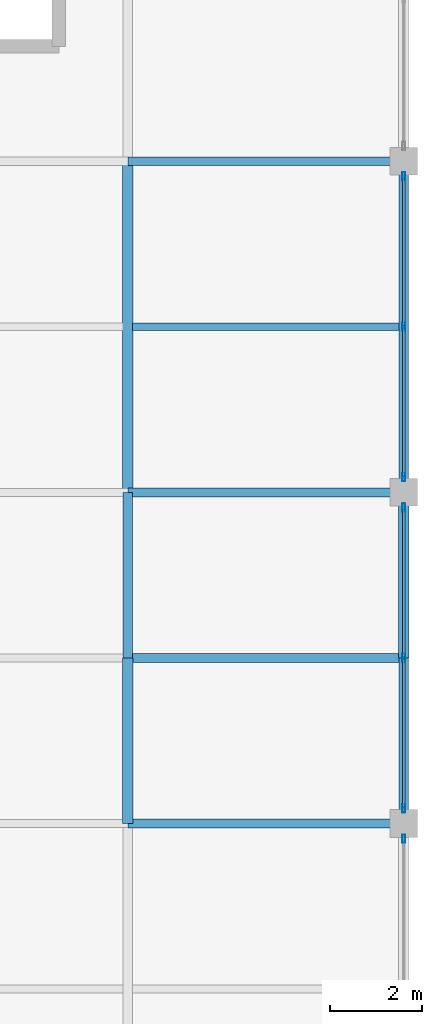
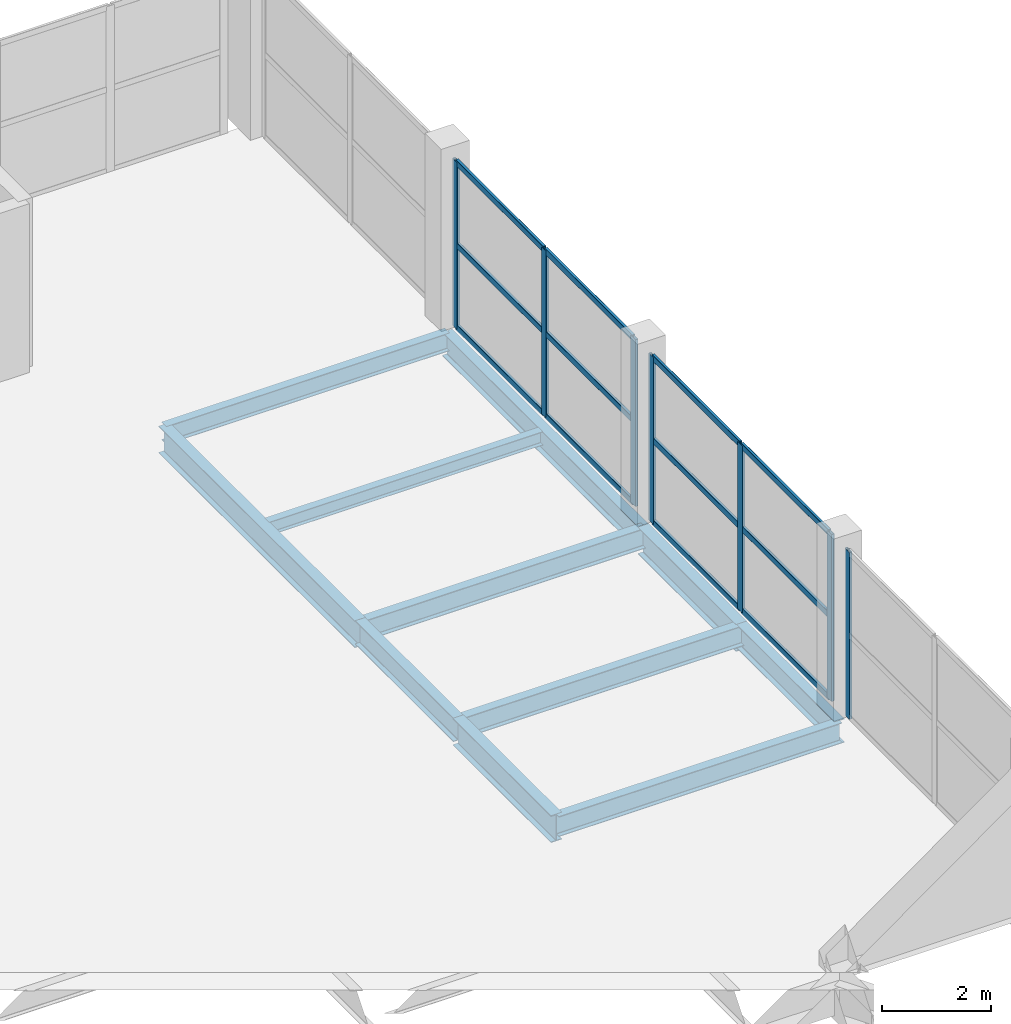
# One storey, part 86 of 127: 19 members, 11 beams, 3 elements without a shape of their own.
"""IFC4 building model written with IfcOpenShell, lengths in metres."""

import ifcopenshell
import ifcopenshell.guid

model = None  # the IFC model being written
_history = None  # IfcOwnerHistory: only IFC2X3 demands one
_inside = {}  # id of a spatial element -> (the spatial element, [elements in it])
_under = {}  # id of a project, library or spatial element -> (it, [spatial elements below it])
_declared = {}  # id of a project -> (the project, [libraries it declares])
_typed = {}  # id of a type object -> (the type object, [elements of that type])
_made_of = {}  # id of a material, layer set ... -> (it, [elements and type objects made of it])


def new_model(schema):
    """Start an empty IFC model of exactly this schema.

    Asked for "IFC4X3", IfcOpenShell would pick the latest addendum, in which some entities
    have other attributes; the version numbers below select the first issue.
    IFC2X3 requires an IfcOwnerHistory on every rooted entity: one is made here for all.
    """
    global model, _history
    if schema == "IFC4X3":
        model = ifcopenshell.file(schema_version=(4, 3, 0, 0))
    else:
        model = ifcopenshell.file(schema=schema)
    _inside.clear()
    _under.clear()
    _declared.clear()
    _typed.clear()
    _made_of.clear()
    _history = None
    if model.schema == "IFC2X3":
        org = make("IfcOrganization", Name="unknown")
        user = make(
            "IfcPersonAndOrganization",
            ThePerson=make("IfcPerson", FamilyName="unknown"),
            TheOrganization=org,
        )
        app = make(
            "IfcApplication",
            ApplicationDeveloper=org,
            Version="unknown",
            ApplicationFullName="unknown",
            ApplicationIdentifier="unknown",
        )
        _history = make(
            "IfcOwnerHistory",
            OwningUser=user,
            OwningApplication=app,
            ChangeAction="ADDED",
            CreationDate=0,
        )
    return model


def make(cls, **values):
    """One entity of the class cls with the attributes given. An attribute that is None is left unset."""
    return model.create_entity(
        cls, **{name: value for name, value in values.items() if value is not None}
    )


def rooted(cls, **values):
    """An entity with a GlobalId (a new one), such as an element, a storey or a relation."""
    return make(cls, GlobalId=ifcopenshell.guid.new(), OwnerHistory=_history, **values)


def si_unit(unit_type, name, prefix=None):
    """IfcSIUnit, for example si_unit("LENGTHUNIT", "METRE", prefix="MILLI")."""
    return make("IfcSIUnit", UnitType=unit_type, Prefix=prefix, Name=name)


def assignment(units):
    """IfcUnitAssignment: the units of a project."""
    return None if units is None else make("IfcUnitAssignment", Units=units)


def point(xyz):
    """IfcCartesianPoint."""
    return None if xyz is None else make("IfcCartesianPoint", Coordinates=xyz)


def direction(xyz):
    """IfcDirection."""
    return None if xyz is None else make("IfcDirection", DirectionRatios=xyz)


def frame(location, z_axis=None, x_axis=None):
    """IfcAxis2Placement3D, a coordinate frame: its origin and axes. An axis left out is left unset."""
    return make(
        "IfcAxis2Placement3D",
        Location=point(location),
        Axis=direction(z_axis),
        RefDirection=direction(x_axis),
    )


def frame_2d(location, x_axis=None):
    """IfcAxis2Placement2D, a coordinate frame in the plane: its origin and x axis."""
    return make(
        "IfcAxis2Placement2D", Location=point(location), RefDirection=direction(x_axis)
    )


def origin():
    """The frame at (0, 0, 0) with its axes left unset."""
    return frame((0.0, 0.0, 0.0))


def origin_2d():
    """The frame at (0, 0) in the plane with its x axis left unset."""
    return frame_2d((0.0, 0.0))


def place(relative_to, where):
    """IfcLocalPlacement: puts the frame where relative to a parent placement (None: the world)."""
    return make(
        "IfcLocalPlacement", PlacementRelTo=relative_to, RelativePlacement=where
    )


def context(
    kind, dimensions, precision=None, world=None, true_north=None, identifier=None
):
    """IfcGeometricRepresentationContext, for example the 3D "Model" context."""
    return make(
        "IfcGeometricRepresentationContext",
        ContextIdentifier=identifier,
        ContextType=kind,
        CoordinateSpaceDimension=dimensions,
        Precision=precision,
        WorldCoordinateSystem=world,
        TrueNorth=true_north,
    )


def subcontext(parent, identifier, kind, view, scale=None):
    """IfcGeometricRepresentationSubContext, for example "Body" below "Model"."""
    return make(
        "IfcGeometricRepresentationSubContext",
        ContextIdentifier=identifier,
        ContextType=kind,
        ParentContext=parent,
        TargetScale=scale,
        TargetView=view,
    )


def project(units=None, contexts=None):
    """IfcProject with its units and contexts."""
    return rooted(
        "IfcProject",
        Name="project",
        RepresentationContexts=contexts,
        UnitsInContext=assignment(units),
    )


def spatial(cls, under=None, at=None, **own):
    """A site, building, storey or space (cls), placed at a placement, below another one or the project."""
    s = rooted(cls, ObjectPlacement=at, **own)
    if under is not None:
        _under.setdefault(under.id(), (under, []))[1].append(s)
    return s


def profile(cls, at=None, kind="AREA", **sizes):
    """A parametric profile (cls). Its sizes go by their IFC names, for example OverallWidth=200.0."""
    return make(cls, ProfileType=kind, Position=at, **sizes)


def hollow_rectangle(**sizes):
    """IfcRectangleHollowProfileDef."""
    return profile("IfcRectangleHollowProfileDef", **sizes)


def i_section(**sizes):
    """IfcIShapeProfileDef."""
    return profile("IfcIShapeProfileDef", **sizes)


def extrude(swept, where, along, depth):
    """IfcExtrudedAreaSolid: the profile swept, set in the frame where, extruded along a direction by depth."""
    return make(
        "IfcExtrudedAreaSolid",
        SweptArea=swept,
        Position=where,
        ExtrudedDirection=direction(along),
        Depth=depth,
    )


def shape(context_of_items, identifier, shape_type, items):
    """IfcShapeRepresentation: the items that make up one representation, for example the "Body"."""
    return make(
        "IfcShapeRepresentation",
        ContextOfItems=context_of_items,
        RepresentationIdentifier=identifier,
        RepresentationType=shape_type,
        Items=items,
    )


def material(Name=None, Category=None):
    """IfcMaterial."""
    return make("IfcMaterial", Name=Name, Category=Category)


def layer(
    of_material, thickness, ventilated=None, Name=None, Category=None, Priority=None
):
    """IfcMaterialLayer: one layer of a wall or slab, of a material (None: an air gap)."""
    return make(
        "IfcMaterialLayer",
        Material=of_material,
        LayerThickness=thickness,
        IsVentilated=ventilated,
        Name=Name,
        Category=Category,
        Priority=Priority,
    )


def layer_set(layers, Name=None):
    """IfcMaterialLayerSet."""
    return make("IfcMaterialLayerSet", MaterialLayers=layers, LayerSetName=Name)


def material_profile(
    of_material, cross_section, Name=None, Category=None, Priority=None
):
    """IfcMaterialProfile: a cross section and its material."""
    return make(
        "IfcMaterialProfile",
        Name=Name,
        Material=of_material,
        Profile=cross_section,
        Priority=Priority,
        Category=Category,
    )


def profile_set(profiles, Name=None, composite=None):
    """IfcMaterialProfileSet."""
    return make(
        "IfcMaterialProfileSet",
        Name=Name,
        MaterialProfiles=profiles,
        CompositeProfile=composite,
    )


def made_of(thing, what):
    """Note that an element or type object is made of a material, layer set ...; save() writes the relation."""
    if what is not None:
        _made_of.setdefault(what.id(), (what, []))[1].append(thing)
    return thing


def type_object(cls, material=None, **own):
    """A type object (cls), such as IfcWallType, which elements share."""
    return made_of(rooted(cls, **own), material)


def element(
    cls,
    number,
    at=None,
    inside=None,
    cuts=None,
    type_object=None,
    material=None,
    context=None,
    identifier="Body",
    shape_type=None,
    held_by="IfcProductDefinitionShape",
    body=None,
    shapes=None,
    **own,
):
    """One element of the class cls, such as IfcWall. Its Tag is "e" and its number.

    at: its placement. inside: the storey or other place that contains it. cuts: it is an
    opening in that element (IfcRelVoidsElement). A single representation is given by context,
    identifier, shape_type and body (its items); several are given by shapes. held_by: the class
    of the entity that holds the representations. save() writes the other relations.
    """
    e = rooted(cls, Tag="e%d" % number, ObjectPlacement=at, **own)
    if body is not None:
        shapes = [shape(context, identifier, shape_type, body)]
    if shapes is not None:
        e.Representation = make(held_by, Representations=shapes)
    if inside is not None:
        _inside.setdefault(inside.id(), (inside, []))[1].append(e)
    if cuts is not None:
        rooted(
            "IfcRelVoidsElement", RelatingBuildingElement=cuts, RelatedOpeningElement=e
        )
    if type_object is not None:
        _typed.setdefault(type_object.id(), (type_object, []))[1].append(e)
    return made_of(e, material)


def aggregate(whole, parts):
    """IfcRelAggregates: a whole, such as a stair, and the parts it consists of."""
    return rooted("IfcRelAggregates", RelatingObject=whole, RelatedObjects=parts)


def save(model, path):
    """Write the relations noted so far, then the file.

    IfcRelAggregates (storeys below a building ...), IfcRelContainedInSpatialStructure (elements
    in a storey), IfcRelDefinesByType, IfcRelAssociatesMaterial and IfcRelDeclares: one each for
    every whole, place, type object, material and project.
    """
    for whole, parts in _under.values():
        aggregate(whole, parts)
    for where, things in _inside.values():
        rooted(
            "IfcRelContainedInSpatialStructure",
            RelatedElements=things,
            RelatingStructure=where,
        )
    for kind, things in _typed.values():
        rooted("IfcRelDefinesByType", RelatedObjects=things, RelatingType=kind)
    for what, things in _made_of.values():
        rooted("IfcRelAssociatesMaterial", RelatedObjects=things, RelatingMaterial=what)
    for by, libraries in _declared.values():
        rooted("IfcRelDeclares", RelatingContext=by, RelatedDefinitions=libraries)
    model.write(path)


model = new_model("IFC4")

# Units and contexts
model_context = context("Model", 3, precision=1e-05, world=origin(), true_north=direction((0.0, 1.0)))
body_context = subcontext(model_context, "Body", "Model", "MODEL_VIEW")
ifc_project = project(units=[si_unit("LENGTHUNIT", "METRE"), si_unit("AREAUNIT", "SQUARE_METRE"), si_unit("VOLUMEUNIT", "CUBIC_METRE"), si_unit("PLANEANGLEUNIT", "RADIAN"), si_unit("MASSUNIT", "GRAM", prefix="KILO")], contexts=[model_context])

# Site, building, storey
site_placement = place(None, origin())
site = spatial("IfcSite", under=ifc_project, at=site_placement, CompositionType="ELEMENT")
building_placement = place(site_placement, origin())
building = spatial("IfcBuilding", under=site, at=building_placement, Name="Dunvalen Ferry Terminal", CompositionType="ELEMENT")
storey_placement = place(building_placement, frame((0.0, 0.0, 5.760009765625)))
storey = spatial("IfcBuildingStorey", under=building, at=storey_placement, Name="L01", CompositionType="ELEMENT", Elevation=5.760009765625)

# Curtain wall, member
ifc_material_1 = material(Name="Anodised marine aluminium and solar-control glazing", Category="aluminium")
ifc_layer = layer(ifc_material_1, 0.219970703125, Name="Anodised marine aluminium and solar-control glazing")
ifc_layer_set = layer_set([ifc_layer], Name="Anodised marine aluminium and solar-control glazing")
curtain_wall_type = type_object("IfcCurtainWallType", Name="ENV-CW-SYS-04", PredefinedType="NOTDEFINED", material=ifc_layer_set)
curtain_wall_1_placement = place(storey_placement, origin())
curtain_wall_1 = element("IfcCurtainWall", 1, at=curtain_wall_1_placement, inside=storey, type_object=curtain_wall_type, Name="L01 Curtain Wall CW-V2E-L01-1", PredefinedType="NOTDEFINED")
ifc_material_2 = material(Name="Anodised marine aluminium EN AW-6063 T6", Category="aluminium")
ifc_material_profile_1 = material_profile(ifc_material_2, hollow_rectangle(XDim=0.06005859375, YDim=0.179931640625, WallThickness=0.00341796875, InnerFilletRadius=0.00341796875, OuterFilletRadius=0.007080078125, at=origin_2d()), Name="Anodised marine aluminium EN AW-6063 T6")
ifc_profile_set_1 = profile_set([ifc_material_profile_1], Name="Anodised marine aluminium EN AW-6063 T6")
member_type_1 = type_object("IfcMemberType", Name="ENV-CW-MUL-2", PredefinedType="MULLION", material=ifc_profile_set_1)
member_1_placement = place(storey_placement, frame((168.0, 64.469970703125, 0.02001953125), z_axis=(0.0, 0.0, 1.0), x_axis=(-1.0, 0.0, 0.0)))
member_1 = element("IfcMember", 2, at=member_1_placement, type_object=member_type_1, Name="CW-04 mullion 3", PredefinedType="MULLION", context=body_context, shape_type="SweptSolid", body=[
    extrude(hollow_rectangle(XDim=0.06005859375, YDim=0.179931640625, WallThickness=0.00341796875, InnerFilletRadius=0.00341796875, OuterFilletRadius=0.007080078125, at=origin_2d()), origin(), (0.0, 0.0, 1.0), 3.739990234375),
])
aggregate(curtain_wall_1, [member_1])

# Curtain wall, members
curtain_wall_2_placement = place(storey_placement, origin())
curtain_wall_2 = element("IfcCurtainWall", 3, at=curtain_wall_2_placement, inside=storey, type_object=curtain_wall_type, Name="L01 Curtain Wall CW-V2E-L01-2", PredefinedType="NOTDEFINED")
member_2_placement = place(storey_placement, frame((168.0, 65.1298828125, 0.02001953125), z_axis=(0.0, 0.0, 1.0), x_axis=(-1.0, 0.0, 0.0)))
member_2 = element("IfcMember", 4, at=member_2_placement, type_object=member_type_1, Name="CW-04 mullion 1", PredefinedType="MULLION", context=body_context, shape_type="SweptSolid", body=[
    extrude(hollow_rectangle(XDim=0.06005859375, YDim=0.179931640625, WallThickness=0.00341796875, InnerFilletRadius=0.00341796875, OuterFilletRadius=0.007080078125, at=origin_2d()), origin(), (0.0, 0.0, 1.0), 3.739990234375),
])
member_3_placement = place(storey_placement, frame((168.0, 68.39990234375, 0.02001953125), z_axis=(0.0, 0.0, 1.0), x_axis=(-1.0, 0.0, 0.0)))
member_3 = element("IfcMember", 5, at=member_3_placement, type_object=member_type_1, Name="CW-04 mullion 2", PredefinedType="MULLION", context=body_context, shape_type="SweptSolid", body=[
    extrude(hollow_rectangle(XDim=0.06005859375, YDim=0.179931640625, WallThickness=0.00341796875, InnerFilletRadius=0.00341796875, OuterFilletRadius=0.007080078125, at=origin_2d()), origin(), (0.0, 0.0, 1.0), 3.739990234375),
])
member_4_placement = place(storey_placement, frame((168.0, 71.669921875, 0.02001953125), z_axis=(0.0, 0.0, 1.0), x_axis=(-1.0, 0.0, 0.0)))
member_4 = element("IfcMember", 6, at=member_4_placement, type_object=member_type_1, Name="CW-04 mullion 3", PredefinedType="MULLION", context=body_context, shape_type="SweptSolid", body=[
    extrude(hollow_rectangle(XDim=0.06005859375, YDim=0.179931640625, WallThickness=0.00341796875, InnerFilletRadius=0.00341796875, OuterFilletRadius=0.007080078125, at=origin_2d()), origin(), (0.0, 0.0, 1.0), 3.739990234375),
])

curtain_wall_3_placement = place(storey_placement, origin())
curtain_wall_3 = element("IfcCurtainWall", 7, at=curtain_wall_3_placement, inside=storey, type_object=curtain_wall_type, Name="L01 Curtain Wall CW-V2E-L01-3", PredefinedType="NOTDEFINED")
member_5_placement = place(storey_placement, frame((168.0, 72.330078125, 0.02001953125), z_axis=(0.0, 0.0, 1.0), x_axis=(-1.0, 0.0, 0.0)))
member_5 = element("IfcMember", 8, at=member_5_placement, type_object=member_type_1, Name="CW-04 mullion 1", PredefinedType="MULLION", context=body_context, shape_type="SweptSolid", body=[
    extrude(hollow_rectangle(XDim=0.06005859375, YDim=0.179931640625, WallThickness=0.00341796875, InnerFilletRadius=0.00341796875, OuterFilletRadius=0.007080078125, at=origin_2d()), origin(), (0.0, 0.0, 1.0), 3.739990234375),
])
member_6_placement = place(storey_placement, frame((168.0, 75.60009765625, 0.02001953125), z_axis=(0.0, 0.0, 1.0), x_axis=(-1.0, 0.0, 0.0)))
member_6 = element("IfcMember", 9, at=member_6_placement, type_object=member_type_1, Name="CW-04 mullion 2", PredefinedType="MULLION", context=body_context, shape_type="SweptSolid", body=[
    extrude(hollow_rectangle(XDim=0.06005859375, YDim=0.179931640625, WallThickness=0.00341796875, InnerFilletRadius=0.00341796875, OuterFilletRadius=0.007080078125, at=origin_2d()), origin(), (0.0, 0.0, 1.0), 3.739990234375),
])
member_7_placement = place(storey_placement, frame((168.0, 78.8701171875, 0.02001953125), z_axis=(0.0, 0.0, 1.0), x_axis=(-1.0, 0.0, 0.0)))
member_7 = element("IfcMember", 10, at=member_7_placement, type_object=member_type_1, Name="CW-04 mullion 3", PredefinedType="MULLION", context=body_context, shape_type="SweptSolid", body=[
    extrude(hollow_rectangle(XDim=0.06005859375, YDim=0.179931640625, WallThickness=0.00341796875, InnerFilletRadius=0.00341796875, OuterFilletRadius=0.007080078125, at=origin_2d()), origin(), (0.0, 0.0, 1.0), 3.739990234375),
])

# Member
ifc_material_profile_2 = material_profile(ifc_material_2, hollow_rectangle(XDim=0.06005859375, YDim=0.135009765625, WallThickness=0.003173828125, InnerFilletRadius=0.003173828125, OuterFilletRadius=0.00634765625, at=origin_2d()), Name="Anodised marine aluminium EN AW-6063 T6")
ifc_profile_set_2 = profile_set([ifc_material_profile_2], Name="Anodised marine aluminium EN AW-6063 T6")
member_type_2 = type_object("IfcMemberType", Name="ENV-CW-TRN-2", PredefinedType="USERDEFINED", material=ifc_profile_set_2)
member_8_placement = place(storey_placement, frame((168.0, 65.159912109375, 0.050048828125), z_axis=(0.0, 1.0, 0.0), x_axis=(-1.0, 0.0, 0.0)))
member_8 = element("IfcMember", 11, at=member_8_placement, type_object=member_type_2, Name="CW-04 transom 1.1", ObjectType="TRANSOM", PredefinedType="USERDEFINED", context=body_context, shape_type="SweptSolid", body=[
    extrude(hollow_rectangle(XDim=0.06005859375, YDim=0.135009765625, WallThickness=0.003173828125, InnerFilletRadius=0.003173828125, OuterFilletRadius=0.00634765625, at=origin_2d()), origin(), (0.0, 0.0, 1.0), 3.210205078125),
])

member_9_placement = place(storey_placement, frame((168.0, 65.159912109375, 1.889892578125), z_axis=(0.0, 1.0, 0.0), x_axis=(-1.0, 0.0, 0.0)))
member_9 = element("IfcMember", 12, at=member_9_placement, type_object=member_type_2, Name="CW-04 transom 1.2", ObjectType="TRANSOM", PredefinedType="USERDEFINED", context=body_context, shape_type="SweptSolid", body=[
    extrude(hollow_rectangle(XDim=0.06005859375, YDim=0.135009765625, WallThickness=0.003173828125, InnerFilletRadius=0.003173828125, OuterFilletRadius=0.00634765625, at=origin_2d()), origin(), (0.0, 0.0, 1.0), 3.210205078125),
])

member_10_placement = place(storey_placement, frame((168.0, 65.159912109375, 3.72998046875), z_axis=(0.0, 1.0, 0.0), x_axis=(-1.0, 0.0, 0.0)))
member_10 = element("IfcMember", 13, at=member_10_placement, type_object=member_type_2, Name="CW-04 transom 1.3", ObjectType="TRANSOM", PredefinedType="USERDEFINED", context=body_context, shape_type="SweptSolid", body=[
    extrude(hollow_rectangle(XDim=0.06005859375, YDim=0.135009765625, WallThickness=0.003173828125, InnerFilletRadius=0.003173828125, OuterFilletRadius=0.00634765625, at=origin_2d()), origin(), (0.0, 0.0, 1.0), 3.210205078125),
])

member_11_placement = place(storey_placement, frame((168.0, 68.429931640625, 0.050048828125), z_axis=(0.0, 1.0, 0.0), x_axis=(-1.0, 0.0, 0.0)))
member_11 = element("IfcMember", 14, at=member_11_placement, type_object=member_type_2, Name="CW-04 transom 2.1", ObjectType="TRANSOM", PredefinedType="USERDEFINED", context=body_context, shape_type="SweptSolid", body=[
    extrude(hollow_rectangle(XDim=0.06005859375, YDim=0.135009765625, WallThickness=0.003173828125, InnerFilletRadius=0.003173828125, OuterFilletRadius=0.00634765625, at=origin_2d()), origin(), (0.0, 0.0, 1.0), 3.2099609375),
])

member_12_placement = place(storey_placement, frame((168.0, 68.429931640625, 1.889892578125), z_axis=(0.0, 1.0, 0.0), x_axis=(-1.0, 0.0, 0.0)))
member_12 = element("IfcMember", 15, at=member_12_placement, type_object=member_type_2, Name="CW-04 transom 2.2", ObjectType="TRANSOM", PredefinedType="USERDEFINED", context=body_context, shape_type="SweptSolid", body=[
    extrude(hollow_rectangle(XDim=0.06005859375, YDim=0.135009765625, WallThickness=0.003173828125, InnerFilletRadius=0.003173828125, OuterFilletRadius=0.00634765625, at=origin_2d()), origin(), (0.0, 0.0, 1.0), 3.2099609375),
])

member_13_placement = place(storey_placement, frame((168.0, 68.429931640625, 3.72998046875), z_axis=(0.0, 1.0, 0.0), x_axis=(-1.0, 0.0, 0.0)))
member_13 = element("IfcMember", 16, at=member_13_placement, type_object=member_type_2, Name="CW-04 transom 2.3", ObjectType="TRANSOM", PredefinedType="USERDEFINED", context=body_context, shape_type="SweptSolid", body=[
    extrude(hollow_rectangle(XDim=0.06005859375, YDim=0.135009765625, WallThickness=0.003173828125, InnerFilletRadius=0.003173828125, OuterFilletRadius=0.00634765625, at=origin_2d()), origin(), (0.0, 0.0, 1.0), 3.2099609375),
])

aggregate(curtain_wall_2, [member_2, member_3, member_4, member_8, member_9, member_10, member_11, member_12, member_13])

member_14_placement = place(storey_placement, frame((168.0, 72.360107421875, 0.050048828125), z_axis=(0.0, 1.0, 0.0), x_axis=(-1.0, 0.0, 0.0)))
member_14 = element("IfcMember", 17, at=member_14_placement, type_object=member_type_2, Name="CW-04 transom 1.1", ObjectType="TRANSOM", PredefinedType="USERDEFINED", context=body_context, shape_type="SweptSolid", body=[
    extrude(hollow_rectangle(XDim=0.06005859375, YDim=0.135009765625, WallThickness=0.003173828125, InnerFilletRadius=0.003173828125, OuterFilletRadius=0.00634765625, at=origin_2d()), origin(), (0.0, 0.0, 1.0), 3.2099609375),
])

member_15_placement = place(storey_placement, frame((168.0, 72.360107421875, 1.889892578125), z_axis=(0.0, 1.0, 0.0), x_axis=(-1.0, 0.0, 0.0)))
member_15 = element("IfcMember", 18, at=member_15_placement, type_object=member_type_2, Name="CW-04 transom 1.2", ObjectType="TRANSOM", PredefinedType="USERDEFINED", context=body_context, shape_type="SweptSolid", body=[
    extrude(hollow_rectangle(XDim=0.06005859375, YDim=0.135009765625, WallThickness=0.003173828125, InnerFilletRadius=0.003173828125, OuterFilletRadius=0.00634765625, at=origin_2d()), origin(), (0.0, 0.0, 1.0), 3.2099609375),
])

member_16_placement = place(storey_placement, frame((168.0, 72.360107421875, 3.72998046875), z_axis=(0.0, 1.0, 0.0), x_axis=(-1.0, 0.0, 0.0)))
member_16 = element("IfcMember", 19, at=member_16_placement, type_object=member_type_2, Name="CW-04 transom 1.3", ObjectType="TRANSOM", PredefinedType="USERDEFINED", context=body_context, shape_type="SweptSolid", body=[
    extrude(hollow_rectangle(XDim=0.06005859375, YDim=0.135009765625, WallThickness=0.003173828125, InnerFilletRadius=0.003173828125, OuterFilletRadius=0.00634765625, at=origin_2d()), origin(), (0.0, 0.0, 1.0), 3.2099609375),
])

member_17_placement = place(storey_placement, frame((168.0, 75.6298828125, 0.050048828125), z_axis=(0.0, 1.0, 0.0), x_axis=(-1.0, 0.0, 0.0)))
member_17 = element("IfcMember", 20, at=member_17_placement, type_object=member_type_2, Name="CW-04 transom 2.1", ObjectType="TRANSOM", PredefinedType="USERDEFINED", context=body_context, shape_type="SweptSolid", body=[
    extrude(hollow_rectangle(XDim=0.06005859375, YDim=0.135009765625, WallThickness=0.003173828125, InnerFilletRadius=0.003173828125, OuterFilletRadius=0.00634765625, at=origin_2d()), origin(), (0.0, 0.0, 1.0), 3.210205078125),
])

member_18_placement = place(storey_placement, frame((168.0, 75.6298828125, 1.889892578125), z_axis=(0.0, 1.0, 0.0), x_axis=(-1.0, 0.0, 0.0)))
member_18 = element("IfcMember", 21, at=member_18_placement, type_object=member_type_2, Name="CW-04 transom 2.2", ObjectType="TRANSOM", PredefinedType="USERDEFINED", context=body_context, shape_type="SweptSolid", body=[
    extrude(hollow_rectangle(XDim=0.06005859375, YDim=0.135009765625, WallThickness=0.003173828125, InnerFilletRadius=0.003173828125, OuterFilletRadius=0.00634765625, at=origin_2d()), origin(), (0.0, 0.0, 1.0), 3.210205078125),
])

member_19_placement = place(storey_placement, frame((168.0, 75.6298828125, 3.72998046875), z_axis=(0.0, 1.0, 0.0), x_axis=(-1.0, 0.0, 0.0)))
member_19 = element("IfcMember", 22, at=member_19_placement, type_object=member_type_2, Name="CW-04 transom 2.3", ObjectType="TRANSOM", PredefinedType="USERDEFINED", context=body_context, shape_type="SweptSolid", body=[
    extrude(hollow_rectangle(XDim=0.06005859375, YDim=0.135009765625, WallThickness=0.003173828125, InnerFilletRadius=0.003173828125, OuterFilletRadius=0.00634765625, at=origin_2d()), origin(), (0.0, 0.0, 1.0), 3.210205078125),
])

aggregate(curtain_wall_3, [member_5, member_6, member_7, member_14, member_15, member_16, member_17, member_18, member_19])

# Beams
ifc_material_3 = material(Name="Steel S355", Category="steel")
ifc_material_profile_3 = material_profile(ifc_material_3, i_section(OverallWidth=0.1650390625, OverallDepth=0.303466796875, WebThickness=0.006103515625, FlangeThickness=0.01025390625, FilletRadius=0.0087890625, at=origin_2d()), Name="Steel S355")
ifc_profile_set_3 = profile_set([ifc_material_profile_3], Name="Steel S355")
beam_type_1 = type_object("IfcBeamType", Name="STR-BM-UKB305", PredefinedType="JOIST", material=ifc_profile_set_3)
beam_1_placement = place(storey_placement, frame((162.10009765625, 75.60009765625, -0.41162109375), z_axis=(1.0, 0.0, 0.0), x_axis=(0.0, 1.0, 0.0)))
element("IfcBeam", 23, at=beam_1_placement, inside=storey, type_object=beam_type_1, Name="L01 V2M Secondary Joist 016", PredefinedType="JOIST", context=body_context, shape_type="SweptSolid", body=[
    extrude(i_section(OverallWidth=0.1650390625, OverallDepth=0.303466796875, WebThickness=0.006103515625, FlangeThickness=0.01025390625, FilletRadius=0.0087890625, at=origin_2d()), origin(), (0.0, 0.0, 1.0), 5.7998046875),
])
ifc_material_profile_4 = material_profile(ifc_material_3, i_section(OverallWidth=0.177978515625, OverallDepth=0.406494140625, WebThickness=0.0078125, FlangeThickness=0.0126953125, FilletRadius=0.01025390625, at=origin_2d()), Name="Steel S355")
ifc_profile_set_4 = profile_set([ifc_material_profile_4], Name="Steel S355")
beam_type_2 = type_object("IfcBeamType", Name="STR-BM-UKB406", PredefinedType="JOIST", material=ifc_profile_set_4)
beam_2_placement = place(storey_placement, frame((162.0, 79.199951171875, -0.463134765625), z_axis=(1.0, 0.0, 0.0), x_axis=(0.0, 1.0, 0.0)))
element("IfcBeam", 24, at=beam_2_placement, inside=storey, type_object=beam_type_2, Name="L01 V2M Primary Beam X-033", PredefinedType="JOIST", context=body_context, shape_type="SweptSolid", body=[
    extrude(i_section(OverallWidth=0.177978515625, OverallDepth=0.406494140625, WebThickness=0.0078125, FlangeThickness=0.0126953125, FilletRadius=0.01025390625, at=origin_2d()), origin(), (0.0, 0.0, 1.0), 6.0),
])
ifc_material_profile_5 = material_profile(ifc_material_3, i_section(OverallWidth=0.1904296875, OverallDepth=0.45703125, WebThickness=0.009033203125, FlangeThickness=0.014404296875, FilletRadius=0.01025390625, at=origin_2d()), Name="Steel S355")
ifc_profile_set_5 = profile_set([ifc_material_profile_5], Name="Steel S355")
beam_type_3 = type_object("IfcBeamType", Name="STR-BM-UKB457", PredefinedType="BEAM", material=ifc_profile_set_5)
for number, where, z_axis, x_axis, name in (
    (25, (162.0, 64.800048828125, -0.488525390625), (1.0, 0.0, 0.0), (0.0, 1.0, 0.0), "L01 V2M Primary Beam X-008"),
    (26, (162.0, 68.39990234375, -0.488525390625), (1.0, 0.0, 0.0), (0.0, 1.0, 0.0), "L01 V2M Primary Beam X-014"),
    (27, (162.0, 72.0, -0.488525390625), (1.0, 0.0, 0.0), (0.0, 1.0, 0.0), "L01 V2M Primary Beam X-024"),
):
    element("IfcBeam", number, at=place(storey_placement, frame(where, z_axis=z_axis, x_axis=x_axis)), inside=storey, type_object=beam_type_3, Name=name, PredefinedType="BEAM", context=body_context, shape_type="SweptSolid", body=[
        extrude(i_section(OverallWidth=0.1904296875, OverallDepth=0.45703125, WebThickness=0.009033203125, FlangeThickness=0.014404296875, FilletRadius=0.01025390625, at=origin_2d()), origin(), (0.0, 0.0, 1.0), 6.0),
    ])
ifc_material_profile_6 = material_profile(ifc_material_3, i_section(OverallWidth=0.209228515625, OverallDepth=0.533203125, WebThickness=0.010009765625, FlangeThickness=0.015625, FilletRadius=0.0126953125, at=origin_2d()), Name="Steel S355")
ifc_profile_set_6 = profile_set([ifc_material_profile_6], Name="Steel S355")
beam_type_4 = type_object("IfcBeamType", Name="STR-BM-UKB533", PredefinedType="BEAM", material=ifc_profile_set_6)
beam_3_placement = place(storey_placement, frame((162.0, 68.39990234375, -0.526611328125), z_axis=(0.0, 1.0, 0.0), x_axis=(-1.0, 0.0, 0.0)))
element("IfcBeam", 28, at=beam_3_placement, inside=storey, type_object=beam_type_4, Name="L01 V2M Primary Girder Y-072", PredefinedType="BEAM", context=body_context, shape_type="SweptSolid", body=[
    extrude(i_section(OverallWidth=0.209228515625, OverallDepth=0.533203125, WebThickness=0.010009765625, FlangeThickness=0.015625, FilletRadius=0.0126953125, at=origin_2d()), origin(), (0.0, 0.0, 1.0), 3.60009765625),
])
beam_4_placement = place(storey_placement, frame((168.0, 64.800048828125, -0.526611328125), z_axis=(0.0, 1.0, 0.0), x_axis=(-1.0, 0.0, 0.0)))
element("IfcBeam", 29, at=beam_4_placement, inside=storey, type_object=beam_type_4, Name="L01 V2M Primary Girder Y-076", PredefinedType="BEAM", context=body_context, shape_type="SweptSolid", body=[
    extrude(i_section(OverallWidth=0.209228515625, OverallDepth=0.533203125, WebThickness=0.010009765625, FlangeThickness=0.015625, FilletRadius=0.0126953125, at=origin_2d()), origin(), (0.0, 0.0, 1.0), 3.599853515625),
])
beam_5_placement = place(storey_placement, frame((168.0, 72.0, -0.526611328125), z_axis=(0.0, 1.0, 0.0), x_axis=(-1.0, 0.0, 0.0)))
element("IfcBeam", 30, at=beam_5_placement, inside=storey, type_object=beam_type_4, Name="L01 V2M Primary Girder Y-078", PredefinedType="BEAM", context=body_context, shape_type="SweptSolid", body=[
    extrude(i_section(OverallWidth=0.209228515625, OverallDepth=0.533203125, WebThickness=0.010009765625, FlangeThickness=0.015625, FilletRadius=0.0126953125, at=origin_2d()), origin(), (0.0, 0.0, 1.0), 7.199951171875),
])
ifc_material_profile_7 = material_profile(ifc_material_3, i_section(OverallWidth=0.228271484375, OverallDepth=0.607666015625, WebThickness=0.010986328125, FlangeThickness=0.017333984375, FilletRadius=0.0126953125, at=origin_2d()), Name="Steel S355")
ifc_profile_set_7 = profile_set([ifc_material_profile_7], Name="Steel S355")
beam_type_5 = type_object("IfcBeamType", Name="STR-BM-UKB610", PredefinedType="BEAM", material=ifc_profile_set_7)
beam_6_placement = place(storey_placement, frame((162.0, 64.800048828125, -0.563720703125), z_axis=(0.0, 1.0, 0.0), x_axis=(-1.0, 0.0, 0.0)))
element("IfcBeam", 31, at=beam_6_placement, inside=storey, type_object=beam_type_5, Name="L01 V2M Primary Girder Y-071", PredefinedType="BEAM", context=body_context, shape_type="SweptSolid", body=[
    extrude(i_section(OverallWidth=0.228271484375, OverallDepth=0.607666015625, WebThickness=0.010986328125, FlangeThickness=0.017333984375, FilletRadius=0.0126953125, at=origin_2d()), origin(), (0.0, 0.0, 1.0), 3.599853515625),
])
beam_7_placement = place(storey_placement, frame((162.0, 72.0, -0.563720703125), z_axis=(0.0, 1.0, 0.0), x_axis=(-1.0, 0.0, 0.0)))
element("IfcBeam", 32, at=beam_7_placement, inside=storey, type_object=beam_type_5, Name="L01 V2M Primary Girder Y-073", PredefinedType="BEAM", context=body_context, shape_type="SweptSolid", body=[
    extrude(i_section(OverallWidth=0.228271484375, OverallDepth=0.607666015625, WebThickness=0.010986328125, FlangeThickness=0.017333984375, FilletRadius=0.0126953125, at=origin_2d()), origin(), (0.0, 0.0, 1.0), 7.199951171875),
])
beam_8_placement = place(storey_placement, frame((168.0, 68.39990234375, -0.563720703125), z_axis=(0.0, 1.0, 0.0), x_axis=(-1.0, 0.0, 0.0)))
element("IfcBeam", 33, at=beam_8_placement, inside=storey, type_object=beam_type_5, Name="L01 V2M Primary Girder Y-077", PredefinedType="BEAM", context=body_context, shape_type="SweptSolid", body=[
    extrude(i_section(OverallWidth=0.228271484375, OverallDepth=0.607666015625, WebThickness=0.010986328125, FlangeThickness=0.017333984375, FilletRadius=0.0126953125, at=origin_2d()), origin(), (0.0, 0.0, 1.0), 3.60009765625),
])

save(model, "model.ifc")
